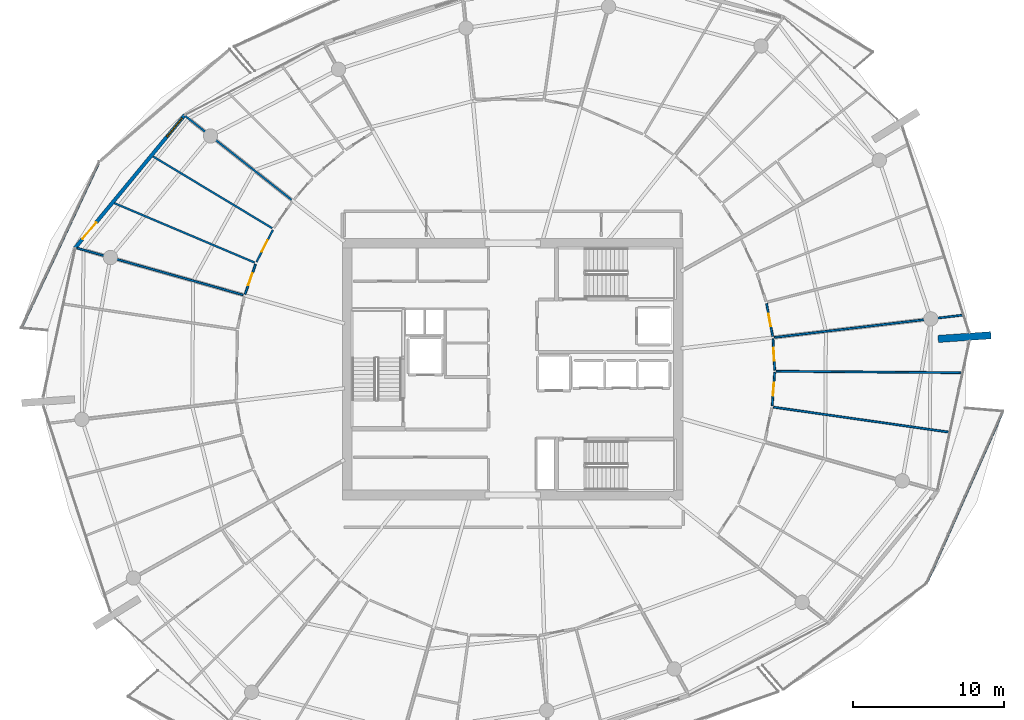
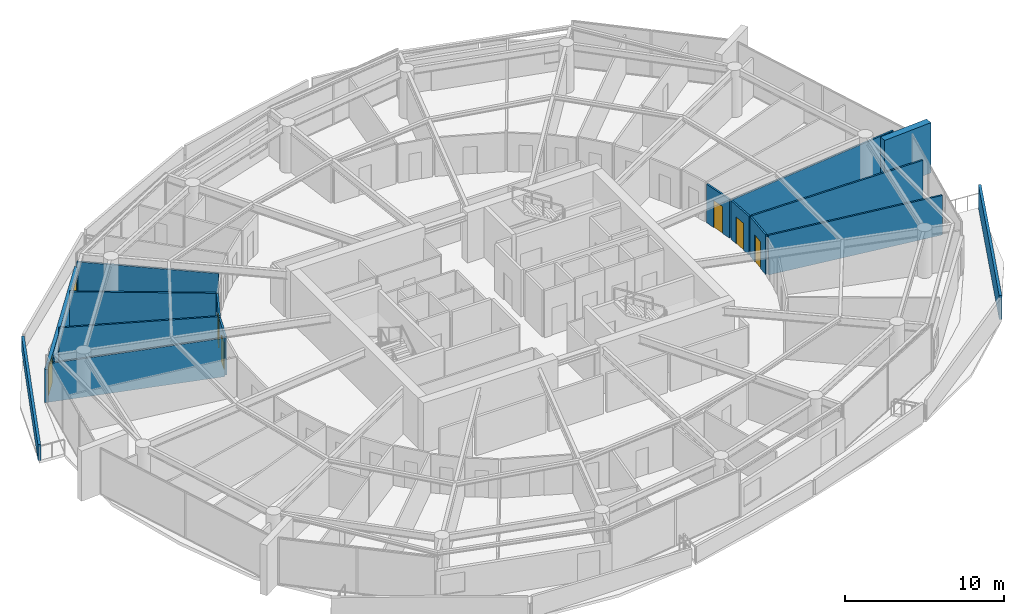
# One storey, part 21 of 31: 16 walls, 6 doors, 1 window, 7 openings.
"""IFC4 building model written with IfcOpenShell, lengths in metres."""

from ifc_helpers import new_model, si_unit, direction, frame, frame_2d, origin, place, context, subcontext, project, spatial, polyline, rectangle, outline, extrude, material, layer, layer_set, type_object, element, fill, save


model = new_model("IFC4")

# Units and contexts
model_context = context("Model", 3, precision=1e-05, world=origin(), true_north=direction((0.0, 1.0)))
body_context = subcontext(model_context, "Body", "Model", "MODEL_VIEW")
ifc_project = project(units=[si_unit("LENGTHUNIT", "METRE"), si_unit("AREAUNIT", "SQUARE_METRE"), si_unit("VOLUMEUNIT", "CUBIC_METRE"), si_unit("PLANEANGLEUNIT", "RADIAN"), si_unit("MASSUNIT", "GRAM", prefix="KILO")], contexts=[model_context])

# Site, building, storey
site_placement = place(None, origin())
site = spatial("IfcSite", under=ifc_project, at=site_placement, CompositionType="ELEMENT")
building_placement = place(site_placement, origin())
building = spatial("IfcBuilding", under=site, at=building_placement, Name="Kazma Halo Residences", CompositionType="ELEMENT")
storey_placement = place(building_placement, frame((0.0, 0.0, 248.25)))
storey = spatial("IfcBuildingStorey", under=building, at=storey_placement, Name="L62", CompositionType="ELEMENT", Elevation=248.25)

# Walls
ifc_material_1 = material(Name="White Concrete C50/60 Balustrade", Category="concrete")
ifc_layer_1 = layer(ifc_material_1, 0.179931640625)
ifc_layer_set_1 = layer_set([ifc_layer_1], Name="White Concrete C50/60 Balustrade")
wall_type_1 = type_object("IfcWallType", Name="WL-BAL-WAVE-180", PredefinedType="PARAPET", material=ifc_layer_set_1)
wall_1_placement = place(storey_placement, frame((21.01220703125, 55.6162109375, 0.0), z_axis=(0.0, 0.0, 1.0), x_axis=(-0.424181665689, -0.905577116812, 0.0)))
element("IfcWall", 1, at=wall_1_placement, inside=storey, type_object=wall_type_1, Name="L62 white wave balustrade wall NW.2", PredefinedType="PARAPET", context=body_context, shape_type="SweptSolid", body=[
    extrude(outline(polyline([(0.0, 0.0), (12.029052734375, 0.0), (12.029296875, 1.22412109375), (6.0146484375, 1.126953125), (0.0, 1.14794921875), (0.0, 0.0)])), frame((0.0, 0.08984375, 0.0), z_axis=(0.0, -1.0, 0.0), x_axis=(1.0, 0.0, 0.0)), (0.0, 0.0, 1.0), 0.179931640625),
])
wall_2_placement = place(storey_placement, frame((75.841552734375, 27.948486328125, 0.0), z_axis=(0.0, 0.0, 1.0), x_axis=(0.405327660322, 0.914171476135, 0.0)))
element("IfcWall", 2, at=wall_2_placement, inside=storey, type_object=wall_type_1, Name="L62 white wave balustrade wall SE.2", PredefinedType="PARAPET", context=body_context, shape_type="SweptSolid", body=[
    extrude(outline(polyline([(0.0, 0.0), (12.322998046875, 0.0), (12.322998046875, 1.756103515625), (6.16162109375, 1.85302734375), (0.0, 1.83203125), (0.0, 0.0)])), frame((0.0, 0.08984375, 0.0), z_axis=(0.0, -1.0, 0.0), x_axis=(1.0, 0.0, 0.0)), (0.0, 0.0, 1.0), 0.179931640625),
])
ifc_material_2 = material(Name="Pale Concrete C60/75", Category="concrete")
ifc_layer_2 = layer(ifc_material_2, 0.47998046875)
ifc_layer_set_2 = layer_set([ifc_layer_2], Name="Pale Concrete C60/75")
wall_type_2 = type_object("IfcWallType", Name="WL-BLADE-480", PredefinedType="SOLIDWALL", material=ifc_layer_set_2)
wall_3_placement = place(storey_placement, frame((76.5625, 43.997314453125, 0.0), z_axis=(0.0, 0.0, 1.0), x_axis=(0.997563824095, 0.069759707979, 0.0)))
element("IfcWall", 3, at=wall_3_placement, inside=storey, type_object=wall_type_2, Name="L62 pale concrete structural blade fin wall BW-04", PredefinedType="SOLIDWALL", context=body_context, shape_type="SweptSolid", body=[
    extrude(rectangle(XDim=3.499755859375, YDim=0.47998046875, at=frame_2d((1.75, 0.0))), origin(), (0.0, 0.0, 1.0), 3.85009765625),
])

# Wall, openings, door, window
ifc_material_3 = material(Name="Insulated Pale-Metal Composite Wall")
ifc_layer_3 = layer(ifc_material_3, 0.239990234375)
ifc_layer_set_3 = layer_set([ifc_layer_3], Name="Insulated Pale-Metal Composite Wall")
wall_type_3 = type_object("IfcWallType", Name="WL-EXT-HOST-240", PredefinedType="SOLIDWALL", material=ifc_layer_set_3)
wall_4_placement = place(storey_placement, frame((26.7421875, 58.822021484375, 0.0), z_axis=(0.0, 0.0, 1.0), x_axis=(-0.636680093065, -0.771128043255, 0.0)))
wall_4 = element("IfcWall", 4, at=wall_4_placement, inside=storey, type_object=wall_type_3, Name="L62 exterior terrace-access wall B06", PredefinedType="SOLIDWALL", context=body_context, shape_type="SweptSolid", body=[
    extrude(rectangle(XDim=11.438232421875, YDim=0.239990234375, at=frame_2d((5.71923828125, 0.0))), origin(), (0.0, 0.0, 1.0), 2.5400390625),
])
opening_1_placement = place(wall_4_placement, frame((9.21826171875, 0.0, 0.0)))
opening_1 = element("IfcOpeningElement", 5, at=opening_1_placement, cuts=wall_4, Name="Opening DTR-1600", PredefinedType="OPENING", context=body_context, shape_type="SweptSolid", body=[
    extrude(rectangle(XDim=1.449951171875, YDim=2.14990234375, at=frame_2d((0.72509765625, 1.074951171875))), frame((0.0, 0.1298828125, 0.0), z_axis=(0.0, -1.0, 0.0), x_axis=(1.0, 0.0, 0.0)), (0.0, 0.0, 1.0), 0.260009765625),
])
opening_2_placement = place(wall_4_placement, frame((0.280029296875, 0.0, 0.64990234375)))
opening_2 = element("IfcOpeningElement", 6, at=opening_2_placement, cuts=wall_4, Name="Opening W-1800", PredefinedType="OPENING", context=body_context, shape_type="SweptSolid", body=[
    extrude(rectangle(XDim=1.60009765625, YDim=1.5, at=frame_2d((0.800048828125, 0.75))), frame((0.0, 0.1298828125, 0.0), z_axis=(0.0, -1.0, 0.0), x_axis=(1.0, 0.0, 0.0)), (0.0, 0.0, 1.0), 0.260009765625),
])
ifc_material_4 = material(Name="Aluminium AW-6063 T6 Double-Glazed Terrace Door", Category="aluminium")
door_type_1 = type_object("IfcDoorType", Name="DR-EXT-TERR-1600", OperationType="NOTDEFINED", PredefinedType="DOOR", material=ifc_material_4)
door_1_placement = place(opening_1_placement, origin())
door_1 = element("IfcDoor", 7, at=door_1_placement, inside=storey, type_object=door_type_1, Name="L62 B06 balcony terrace door", OperationType="DOUBLE_DOOR_SLIDING", OverallHeight=2.14990234375, OverallWidth=1.449951171875, PredefinedType="DOOR", context=body_context, shape_type="SweptSolid", body=[
    extrude(rectangle(XDim=1.449951171875, YDim=2.14990234375, at=frame_2d((0.72509765625, 1.074951171875))), frame((0.0, 0.02490234375, 0.0), z_axis=(0.0, -1.0, 0.0), x_axis=(1.0, 0.0, 0.0)), (0.0, 0.0, 1.0), 0.050048828125),
])
fill(opening_1, door_1)
ifc_material_5 = material(Name="Clear Triple-Silver Low-E Glass in Aluminium AW-6063 T6 Frame", Category="aluminium")
window_type = type_object("IfcWindowType", Name="WIN-RES-1800", PartitioningType="DOUBLE_PANEL_VERTICAL", PredefinedType="WINDOW", material=ifc_material_5)
window_placement = place(opening_2_placement, origin())
window = element("IfcWindow", 8, at=window_placement, inside=storey, type_object=window_type, Name="L62 B06 apartment window", OverallHeight=1.5, OverallWidth=1.60009765625, PartitioningType="SINGLE_PANEL", PredefinedType="WINDOW", context=body_context, shape_type="SweptSolid", body=[
    extrude(rectangle(XDim=1.60009765625, YDim=1.5, at=frame_2d((0.800048828125, 0.75))), frame((0.0, 0.030029296875, 0.0), z_axis=(0.0, -1.0, 0.0), x_axis=(1.0, 0.0, 0.0)), (0.0, 0.0, 1.0), 0.06005859375),
])
fill(opening_2, window)

# Walls
ifc_material_6 = material(Name="Gypsum Plasterboard Partition")
ifc_layer_4 = layer(ifc_material_6, 0.125)
ifc_layer_set_4 = layer_set([ifc_layer_4], Name="Gypsum Plasterboard Partition")
wall_type_4 = type_object("IfcWallType", Name="WL-PART-125", PredefinedType="PARTITIONING", material=ifc_layer_set_4)
wall_5_placement = place(storey_placement, frame((33.7958984375, 53.197509765625, 0.0), z_axis=(0.0, 0.0, 1.0), x_axis=(-0.785317367408, 0.619093395577, 0.0)))
element("IfcWall", 9, at=wall_5_placement, inside=storey, type_object=wall_type_4, Name="L62 Apartment 1 radial partition 5", PredefinedType="PARTITIONING", context=body_context, shape_type="SweptSolid", body=[
    extrude(rectangle(XDim=8.99755859375, YDim=0.125, at=frame_2d((4.498779296875, 0.0))), origin(), (0.0, 0.0, 1.0), 2.95703125),
])
wall_6_placement = place(storey_placement, frame((32.51318359375, 51.32373046875, 0.0), z_axis=(0.0, 0.0, 1.0), x_axis=(-0.856717015706, 0.515786734028, 0.0)))
element("IfcWall", 10, at=wall_6_placement, inside=storey, type_object=wall_type_4, Name="L62 Apartment 1 bay wall 1 5", PredefinedType="PARTITIONING", context=body_context, shape_type="SweptSolid", body=[
    extrude(rectangle(XDim=9.201171875, YDim=0.125, at=frame_2d((4.6005859375, 0.0))), origin(), (0.0, 0.0, 1.0), 3.030029296875),
])
wall_7_placement = place(storey_placement, frame((31.35400390625, 49.048583984375, 0.0), z_axis=(0.0, 0.0, 1.0), x_axis=(-0.920847854277, 0.389922081028, 0.0)))
element("IfcWall", 11, at=wall_7_placement, inside=storey, type_object=wall_type_4, Name="L62 Apartment 1 bay wall 2 5", PredefinedType="PARTITIONING", context=body_context, shape_type="SweptSolid", body=[
    extrude(rectangle(XDim=10.078857421875, YDim=0.125, at=frame_2d((5.03955078125, 0.0))), origin(), (0.0, 0.0, 1.0), 3.030029296875),
])

# Wall, opening, door
wall_8_placement = place(storey_placement, frame((32.553955078125, 51.2060546875, 0.0), z_axis=(0.0, 0.0, 1.0), x_axis=(-0.454010275522, -0.890996447647, 0.0)))
wall_8 = element("IfcWall", 12, at=wall_8_placement, inside=storey, type_object=wall_type_4, Name="L62 Apartment 1 Gulf Dressing Wardrobe hall wall", PredefinedType="PARTITIONING", context=body_context, shape_type="SweptSolid", body=[
    extrude(rectangle(XDim=2.380615234375, YDim=0.125, at=frame_2d((1.1904296875, 0.0))), origin(), (0.0, 0.0, 1.0), 3.030029296875),
])
opening_3_placement = place(wall_8_placement, frame((0.765380859375, 0.0, 0.0)))
opening_3 = element("IfcOpeningElement", 13, at=opening_3_placement, cuts=wall_8, Name="Opening DB-900", PredefinedType="OPENING", context=body_context, shape_type="SweptSolid", body=[
    extrude(rectangle(XDim=0.85009765625, YDim=2.06005859375, at=frame_2d((0.425048828125, 1.030029296875))), frame((0.0, 0.072509765625, 0.0), z_axis=(0.0, -1.0, 0.0), x_axis=(1.0, 0.0, 0.0)), (0.0, 0.0, 1.0), 0.14501953125),
])
ifc_material_7 = material(Name="Moisture-Sealed Timber Leaf", Category="wood")
door_type_2 = type_object("IfcDoorType", Name="DR-BTH-900", OperationType="NOTDEFINED", PredefinedType="DOOR", material=ifc_material_7)
door_2_placement = place(opening_3_placement, origin())
door_2 = element("IfcDoor", 14, at=door_2_placement, inside=storey, type_object=door_type_2, Name="L62 Apartment 1 Gulf Dressing Wardrobe door", OperationType="SINGLE_SWING_RIGHT", OverallHeight=2.06005859375, OverallWidth=0.85009765625, PredefinedType="DOOR", context=body_context, shape_type="SweptSolid", body=[
    extrude(rectangle(XDim=0.85009765625, YDim=2.06005859375, at=frame_2d((0.425048828125, 1.030029296875))), frame((0.0, 0.02490234375, 0.0), z_axis=(0.0, -1.0, 0.0), x_axis=(1.0, 0.0, 0.0)), (0.0, 0.0, 1.0), 0.050048828125),
])
fill(opening_3, door_2)

wall_9_placement = place(storey_placement, frame((31.410400390625, 48.93798828125, 0.0), z_axis=(0.0, 0.0, 1.0), x_axis=(-0.331438416753, -0.943476854989, 0.0)))
wall_9 = element("IfcWall", 15, at=wall_9_placement, inside=storey, type_object=wall_type_4, Name="L62 Apartment 1 Primary Bedroom hall wall", PredefinedType="PARTITIONING", context=body_context, shape_type="SweptSolid", body=[
    extrude(rectangle(XDim=2.0986328125, YDim=0.125, at=frame_2d((1.04931640625, 0.0))), origin(), (0.0, 0.0, 1.0), 2.95703125),
])
opening_4_placement = place(wall_9_placement, frame((0.62451171875, 0.0, 0.0)))
opening_4 = element("IfcOpeningElement", 16, at=opening_4_placement, cuts=wall_9, Name="Opening DB-900", PredefinedType="OPENING", context=body_context, shape_type="SweptSolid", body=[
    extrude(rectangle(XDim=0.85009765625, YDim=2.06005859375, at=frame_2d((0.425048828125, 1.030029296875))), frame((0.0, 0.072509765625, 0.0), z_axis=(0.0, -1.0, 0.0), x_axis=(1.0, 0.0, 0.0)), (0.0, 0.0, 1.0), 0.14501953125),
])
door_3_placement = place(opening_4_placement, origin())
door_3 = element("IfcDoor", 17, at=door_3_placement, inside=storey, type_object=door_type_2, Name="L62 Apartment 1 Primary Bedroom door", OperationType="SINGLE_SWING_LEFT", OverallHeight=2.06005859375, OverallWidth=0.85009765625, PredefinedType="DOOR", context=body_context, shape_type="SweptSolid", body=[
    extrude(rectangle(XDim=0.85009765625, YDim=2.06005859375, at=frame_2d((0.425048828125, 1.030029296875))), frame((0.0, 0.02490234375, 0.0), z_axis=(0.0, -1.0, 0.0), x_axis=(1.0, 0.0, 0.0)), (0.0, 0.0, 1.0), 0.050048828125),
])
fill(opening_4, door_3)

# Walls
wall_10_placement = place(storey_placement, frame((30.592041015625, 46.909423828125, 0.0), z_axis=(0.0, 0.0, 1.0), x_axis=(-0.96245110957, 0.271455082266, 0.0)))
element("IfcWall", 18, at=wall_10_placement, inside=storey, type_object=wall_type_4, Name="L62 Apartment 1 radial partition 6", PredefinedType="PARTITIONING", context=body_context, shape_type="SweptSolid", body=[
    extrude(rectangle(XDim=11.40869140625, YDim=0.125, at=frame_2d((5.704345703125, 0.0))), origin(), (0.0, 0.0, 1.0), 2.95703125),
])
wall_11_placement = place(storey_placement, frame((65.6689453125, 39.4853515625, 0.0), z_axis=(0.0, 0.0, 1.0), x_axis=(0.990022432034, -0.140909843761, 0.0)))
element("IfcWall", 19, at=wall_11_placement, inside=storey, type_object=wall_type_4, Name="L62 Apartment 2 bay wall 1 14", PredefinedType="PARTITIONING", context=body_context, shape_type="SweptSolid", body=[
    extrude(rectangle(XDim=11.760986328125, YDim=0.125, at=frame_2d((5.88037109375, 0.0))), origin(), (0.0, 0.0, 1.0), 3.030029296875),
])
wall_12_placement = place(storey_placement, frame((65.846435546875, 41.85986328125, 0.0), z_axis=(0.0, 0.0, 1.0), x_axis=(0.999969162233, -0.007853316706, 0.0)))
element("IfcWall", 20, at=wall_12_placement, inside=storey, type_object=wall_type_4, Name="L62 Apartment 2 bay wall 2 14", PredefinedType="PARTITIONING", context=body_context, shape_type="SweptSolid", body=[
    extrude(rectangle(XDim=12.310791015625, YDim=0.125, at=frame_2d((6.1552734375, 0.0))), origin(), (0.0, 0.0, 1.0), 3.030029296875),
])

# Wall, opening, door
wall_13_placement = place(storey_placement, frame((65.5859375, 39.577880859375, 0.0), z_axis=(0.0, 0.0, 1.0), x_axis=(0.074490462528, 0.997221726093, 0.0)))
wall_13 = element("IfcWall", 21, at=wall_13_placement, inside=storey, type_object=wall_type_4, Name="L62 Apartment 2 Primary Dressing Wardrobe hall wall", PredefinedType="PARTITIONING", context=body_context, shape_type="SweptSolid", body=[
    extrude(rectangle(XDim=2.208984375, YDim=0.125, at=frame_2d((1.1044921875, 0.0))), origin(), (0.0, 0.0, 1.0), 3.030029296875),
])
opening_5_placement = place(wall_13_placement, frame((0.679443359375, 0.0, 0.0)))
opening_5 = element("IfcOpeningElement", 22, at=opening_5_placement, cuts=wall_13, Name="Opening DB-900", PredefinedType="OPENING", context=body_context, shape_type="SweptSolid", body=[
    extrude(rectangle(XDim=0.85009765625, YDim=2.06005859375, at=frame_2d((0.425048828125, 1.030029296875))), frame((0.0, 0.072509765625, 0.0), z_axis=(0.0, -1.0, 0.0), x_axis=(1.0, 0.0, 0.0)), (0.0, 0.0, 1.0), 0.14501953125),
])
door_4_placement = place(opening_5_placement, origin())
door_4 = element("IfcDoor", 23, at=door_4_placement, inside=storey, type_object=door_type_2, Name="L62 Apartment 2 Primary Dressing Wardrobe door", OperationType="SINGLE_SWING_LEFT", OverallHeight=2.06005859375, OverallWidth=0.85009765625, PredefinedType="DOOR", context=body_context, shape_type="SweptSolid", body=[
    extrude(rectangle(XDim=0.85009765625, YDim=2.06005859375, at=frame_2d((0.425048828125, 1.030029296875))), frame((0.0, 0.02490234375, 0.0), z_axis=(0.0, -1.0, 0.0), x_axis=(1.0, 0.0, 0.0)), (0.0, 0.0, 1.0), 0.050048828125),
])
fill(opening_5, door_4)

wall_14_placement = place(storey_placement, frame((65.752197265625, 41.9404296875, 0.0), z_axis=(0.0, 0.0, 1.0), x_axis=(-0.055084577693, 0.998481692021, 0.0)))
wall_14 = element("IfcWall", 24, at=wall_14_placement, inside=storey, type_object=wall_type_4, Name="L62 Apartment 2 Secondary Master Bedroom hall wall", PredefinedType="PARTITIONING", context=body_context, shape_type="SweptSolid", body=[
    extrude(rectangle(XDim=2.06982421875, YDim=0.125, at=frame_2d((1.034912109375, 0.0))), origin(), (0.0, 0.0, 1.0), 2.95703125),
])
opening_6_placement = place(wall_14_placement, frame((0.610107421875, 0.0, 0.0)))
opening_6 = element("IfcOpeningElement", 25, at=opening_6_placement, cuts=wall_14, Name="Opening DB-900", PredefinedType="OPENING", context=body_context, shape_type="SweptSolid", body=[
    extrude(rectangle(XDim=0.85009765625, YDim=2.06005859375, at=frame_2d((0.425048828125, 1.030029296875))), frame((0.0, 0.072509765625, 0.0), z_axis=(0.0, -1.0, 0.0), x_axis=(1.0, 0.0, 0.0)), (0.0, 0.0, 1.0), 0.14501953125),
])
door_5_placement = place(opening_6_placement, origin())
door_5 = element("IfcDoor", 26, at=door_5_placement, inside=storey, type_object=door_type_2, Name="L62 Apartment 2 Secondary Master Bedroom door", OperationType="SINGLE_SWING_RIGHT", OverallHeight=2.06005859375, OverallWidth=0.85009765625, PredefinedType="DOOR", context=body_context, shape_type="SweptSolid", body=[
    extrude(rectangle(XDim=0.85009765625, YDim=2.06005859375, at=frame_2d((0.425048828125, 1.030029296875))), frame((0.0, 0.02490234375, 0.0), z_axis=(0.0, -1.0, 0.0), x_axis=(1.0, 0.0, 0.0)), (0.0, 0.0, 1.0), 0.050048828125),
])
fill(opening_6, door_5)

# Wall
wall_15_placement = place(storey_placement, frame((65.733154296875, 44.098876953125, 0.0), z_axis=(0.0, 0.0, 1.0), x_axis=(0.99306831242, 0.117538618625, 0.0)))
element("IfcWall", 27, at=wall_15_placement, inside=storey, type_object=wall_type_4, Name="L62 Apartment 2 radial partition 15", PredefinedType="PARTITIONING", context=body_context, shape_type="SweptSolid", body=[
    extrude(rectangle(XDim=12.57275390625, YDim=0.125, at=frame_2d((6.286376953125, 0.0))), origin(), (0.0, 0.0, 1.0), 2.95703125),
])

# Wall, opening, door
wall_16_placement = place(storey_placement, frame((65.619140625, 44.165771484375, 0.0), z_axis=(0.0, 0.0, 1.0), x_axis=(-0.183454395516, 0.983028221755, 0.0)))
wall_16 = element("IfcWall", 28, at=wall_16_placement, inside=storey, type_object=wall_type_4, Name="L62 Apartment 2 East Master Bedroom hall wall", PredefinedType="PARTITIONING", context=body_context, shape_type="SweptSolid", body=[
    extrude(rectangle(XDim=2.209228515625, YDim=0.125, at=frame_2d((1.1044921875, 0.0))), origin(), (0.0, 0.0, 1.0), 2.95703125),
])
opening_7_placement = place(wall_16_placement, frame((0.6796875, 0.0, 0.0)))
opening_7 = element("IfcOpeningElement", 29, at=opening_7_placement, cuts=wall_16, Name="Opening DB-900", PredefinedType="OPENING", context=body_context, shape_type="SweptSolid", body=[
    extrude(rectangle(XDim=0.85009765625, YDim=2.06005859375, at=frame_2d((0.425048828125, 1.030029296875))), frame((0.0, 0.072509765625, 0.0), z_axis=(0.0, -1.0, 0.0), x_axis=(1.0, 0.0, 0.0)), (0.0, 0.0, 1.0), 0.14501953125),
])
door_6_placement = place(opening_7_placement, origin())
door_6 = element("IfcDoor", 30, at=door_6_placement, inside=storey, type_object=door_type_2, Name="L62 Apartment 2 East Master Bedroom door", OperationType="SINGLE_SWING_LEFT", OverallHeight=2.06005859375, OverallWidth=0.85009765625, PredefinedType="DOOR", context=body_context, shape_type="SweptSolid", body=[
    extrude(rectangle(XDim=0.85009765625, YDim=2.06005859375, at=frame_2d((0.425048828125, 1.030029296875))), frame((0.0, 0.02490234375, 0.0), z_axis=(0.0, -1.0, 0.0), x_axis=(1.0, 0.0, 0.0)), (0.0, 0.0, 1.0), 0.050048828125),
])
fill(opening_7, door_6)

save(model, "model.ifc")
